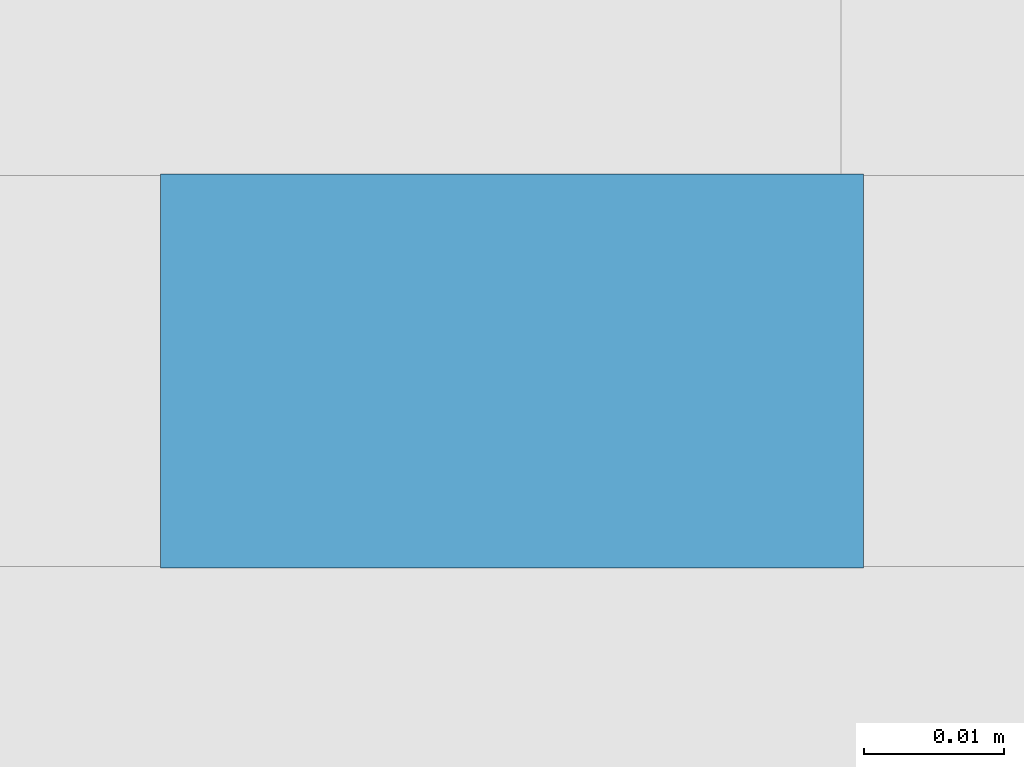
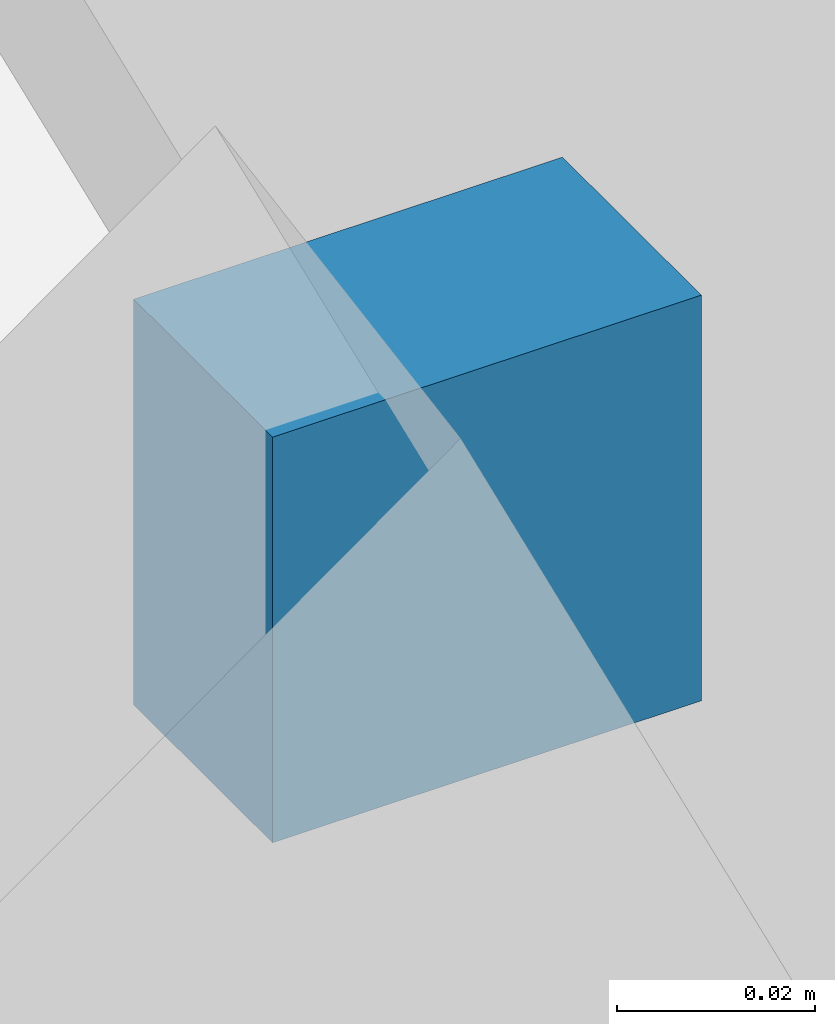
# One storey, part 13 of 19: 1 discrete accessory, 1 element without a shape of its own.
"""IFC4 building model written with IfcOpenShell, lengths in metres."""

from ifc_helpers import new_model, si_unit, direction, frame, origin, origin_2d, place, context, subcontext, project, spatial, rectangle, extrude, material, type_object, element, aggregate, save


model = new_model("IFC4")

# Units and contexts
model_context = context("Model", 3, precision=1e-05, world=origin(), true_north=direction((0.0, 1.0)))
body_context = subcontext(model_context, "Body", "Model", "MODEL_VIEW")
ifc_project = project(units=[si_unit("LENGTHUNIT", "METRE"), si_unit("AREAUNIT", "SQUARE_METRE"), si_unit("VOLUMEUNIT", "CUBIC_METRE"), si_unit("PLANEANGLEUNIT", "RADIAN"), si_unit("MASSUNIT", "GRAM", prefix="KILO")], contexts=[model_context])

# Site, building, storey
site_placement = place(None, origin())
site = spatial("IfcSite", under=ifc_project, at=site_placement, CompositionType="ELEMENT")
building_placement = place(site_placement, origin())
building = spatial("IfcBuilding", under=site, at=building_placement, Name="Tessera Arch", CompositionType="ELEMENT")
storey_placement = place(building_placement, frame((0.0, 0.0, 170.0)))
storey = spatial("IfcBuildingStorey", under=building, at=storey_placement, Name="L40", CompositionType="ELEMENT", Elevation=170.0)

# Curtain wall, discrete accessory
ifc_material = material(Name="CW3 curtain wall")
curtain_wall_type = type_object("IfcCurtainWallType", Name="CW3 curtain wall", PredefinedType="NOTDEFINED", material=ifc_material)
curtain_wall_placement = place(storey_placement, origin())
curtain_wall = element("IfcCurtainWall", 1, at=curtain_wall_placement, inside=storey, type_object=curtain_wall_type, Name="CW3 curtain wall S27.0/2 L40", PredefinedType="NOTDEFINED")
discrete_accessory_placement = place(storey_placement, frame((23.085205078125, 26.9560546875, 1.19189453125), z_axis=(0.0, 0.0, 1.0), x_axis=(1.0, 0.0, 0.0)))
discrete_accessory = element("IfcDiscreteAccessory", 2, at=discrete_accessory_placement, Name="Glazing bracket", PredefinedType="BRACKET", context=body_context, shape_type="SweptSolid", body=[
    extrude(rectangle(XDim=0.050048828125, YDim=0.028076171875, at=origin_2d()), origin(), (0.0, 0.0, 1.0), 0.050048828125),
])
aggregate(curtain_wall, [discrete_accessory])

save(model, "model.ifc")
